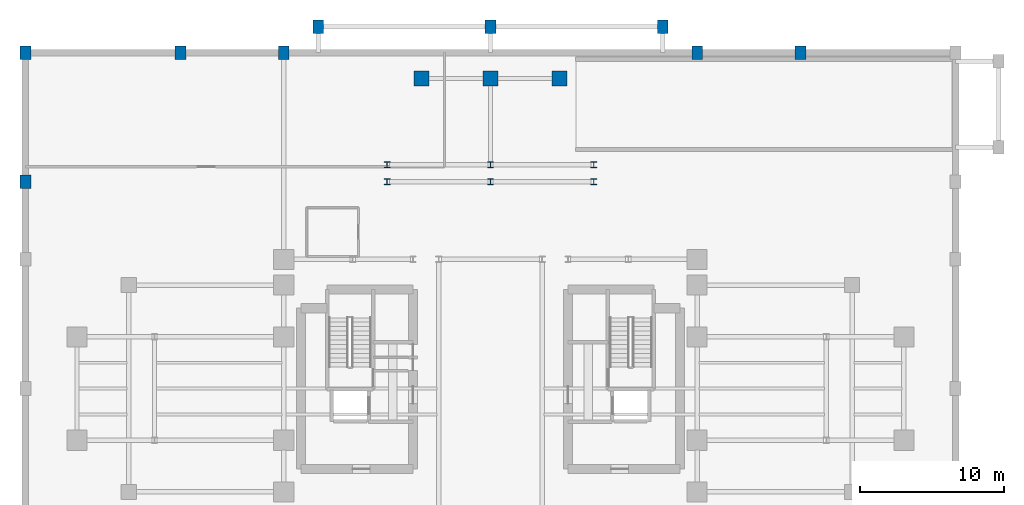
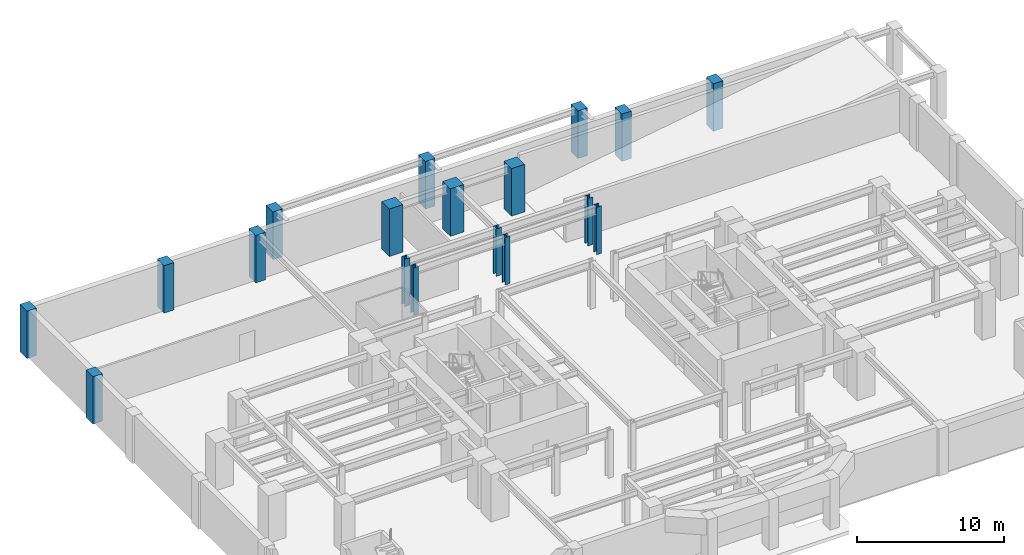
# One storey, part 2 of 9: 18 columns.
"""IFC4 building model written with IfcOpenShell, lengths in metres."""

from ifc_helpers import new_model, si_unit, direction, frame, origin, origin_2d, place, context, subcontext, project, spatial, rectangle, i_section, extrude, source, transform, mapped, material, material_profile, profile_set, type_object, element, save


model = new_model("IFC4")

# Units and contexts
model_context = context("Model", 3, precision=1e-05, world=origin(), true_north=direction((0.0, 1.0)))
body_context = subcontext(model_context, "Body", "Model", "MODEL_VIEW")
ifc_project = project(units=[si_unit("LENGTHUNIT", "METRE"), si_unit("AREAUNIT", "SQUARE_METRE"), si_unit("VOLUMEUNIT", "CUBIC_METRE"), si_unit("PLANEANGLEUNIT", "RADIAN"), si_unit("MASSUNIT", "GRAM", prefix="KILO")], contexts=[model_context])

# Site, building, storey
site_placement = place(None, origin())
site = spatial("IfcSite", under=ifc_project, at=site_placement, CompositionType="ELEMENT")
building_placement = place(site_placement, origin())
building = spatial("IfcBuilding", under=site, at=building_placement, Name="Keilestroom Media Tower", CompositionType="ELEMENT")
storey_placement = place(building_placement, frame((0.0, 0.0, -4.199951171875)))
storey = spatial("IfcBuildingStorey", under=building, at=storey_placement, Name="B1", CompositionType="ELEMENT", Elevation=-4.199951171875)

# Columns
ifc_material_1 = material(Name="Precast concrete C40/50", Category="concrete")
ifc_material_profile_1 = material_profile(ifc_material_1, rectangle(XDim=0.75, YDim=0.949951171875, at=origin_2d()), Name="PC 950x750")
ifc_profile_set_1 = profile_set([ifc_material_profile_1], Name="Precast concrete C40/50")
column_type_1 = type_object("IfcColumnType", Name="Structural-Column-PC-950x750", PredefinedType="COLUMN", material=ifc_profile_set_1)
shared_shape_1 = source(origin(), body_context, "Body", "SweptSolid", [
    extrude(rectangle(XDim=0.75, YDim=0.949951171875, at=origin_2d()), origin(), (0.0, 0.0, 1.0), 3.949951171875),
])
for number, where, z_axis, x_axis, name in (
    (1, (-32.39990234375, 14.39990234375, 0.0), (0.0, 0.0, 1.0), (1.0, 0.0, 0.0), "B1 Column PC-1 (-32.4,+14.4)"),
    (2, (-32.39990234375, 23.39990234375, 0.0), (0.0, 0.0, 1.0), (1.0, 0.0, 0.0), "B1 Column PC-1 (-32.4,+23.4)"),
    (3, (-21.60009765625, 23.39990234375, 0.0), (0.0, 0.0, 1.0), (1.0, 0.0, 0.0), "B1 Column PC-1 (-21.6,+23.4)"),
    (4, (-14.39990234375, 23.39990234375, 0.0), (0.0, 0.0, 1.0), (1.0, 0.0, 0.0), "B1 Column PC-1 (-14.4,+23.4)"),
    (5, (14.39990234375, 23.39990234375, 0.0), (0.0, 0.0, 1.0), (1.0, 0.0, 0.0), "B1 Column PC-1 (+14.4,+23.4)"),
    (6, (21.60009765625, 23.39990234375, 0.0), (0.0, 0.0, 1.0), (1.0, 0.0, 0.0), "B1 Column PC-1 (+21.6,+23.4)"),
):
    element("IfcColumn", number, at=place(storey_placement, frame(where, z_axis=z_axis, x_axis=x_axis)), inside=storey, type_object=column_type_1, Name=name, PredefinedType="COLUMN", context=body_context, shape_type="MappedRepresentation", body=[
        mapped(shared_shape_1, transform((0.0, 0.0, 0.0), x_axis=(1.0, 0.0, 0.0), y_axis=(0.0, 1.0, 0.0), z_axis=(0.0, 0.0, 1.0), scale=1.0)),
    ])
ifc_material_2 = material(Name="Concrete C55/67", Category="concrete")
ifc_material_profile_2 = material_profile(ifc_material_2, rectangle(XDim=1.050048828125, YDim=1.050048828125, at=origin_2d()), Name="RC 1050x1050")
ifc_profile_set_2 = profile_set([ifc_material_profile_2], Name="Concrete C55/67")
column_type_2 = type_object("IfcColumnType", Name="Structural-Column-RC-1050x1050", PredefinedType="COLUMN", material=ifc_profile_set_2)
shared_shape_2 = source(origin(), body_context, "Body", "SweptSolid", [
    extrude(rectangle(XDim=1.050048828125, YDim=1.050048828125, at=origin_2d()), origin(), (0.0, 0.0, 1.0), 3.949951171875),
])
for number, where, z_axis, x_axis, name in (
    (7, (-4.800048828125, 21.60009765625, 0.0), (0.0, 0.0, 1.0), (1.0, 0.0, 0.0), "B1 Column MC-3 (-4.8,+21.6)"),
    (8, (0.0, 21.60009765625, 0.0), (0.0, 0.0, 1.0), (1.0, 0.0, 0.0), "B1 Column MC-3 (+0.0,+21.6)"),
    (9, (4.800048828125, 21.60009765625, 0.0), (0.0, 0.0, 1.0), (1.0, 0.0, 0.0), "B1 Column MC-3 (+4.8,+21.6)"),
):
    element("IfcColumn", number, at=place(storey_placement, frame(where, z_axis=z_axis, x_axis=x_axis)), inside=storey, type_object=column_type_2, Name=name, PredefinedType="COLUMN", context=body_context, shape_type="MappedRepresentation", body=[
        mapped(shared_shape_2, transform((0.0, 0.0, 0.0), x_axis=(1.0, 0.0, 0.0), y_axis=(0.0, 1.0, 0.0), z_axis=(0.0, 0.0, 1.0), scale=1.0)),
    ])
ifc_material_3 = material(Name="Steel S460", Category="steel")
ifc_material_profile_3 = material_profile(ifc_material_3, i_section(OverallWidth=0.406005859375, OverallDepth=0.416015625, WebThickness=0.02392578125, FlangeThickness=0.0390625, at=origin_2d()), Name="HD 400x382")
ifc_profile_set_3 = profile_set([ifc_material_profile_3], Name="Steel S460")
column_type_3 = type_object("IfcColumnType", Name="Structural-Column-HD-400x382", PredefinedType="COLUMN", material=ifc_profile_set_3)
shared_shape_3 = source(origin(), body_context, "Body", "SweptSolid", [
    extrude(i_section(OverallWidth=0.406005859375, OverallDepth=0.416015625, WebThickness=0.02392578125, FlangeThickness=0.0390625, at=origin_2d()), origin(), (0.0, 0.0, 1.0), 3.949951171875),
])
for number, where, z_axis, x_axis, name in (
    (10, (-7.199951171875, 14.39990234375, 0.0), (0.0, 0.0, 1.0), (1.0, 0.0, 0.0), "B1 Column SC-1 (-7.2,+14.4)"),
    (11, (-7.199951171875, 15.60009765625, 0.0), (0.0, 0.0, 1.0), (1.0, 0.0, 0.0), "B1 Column SC-1 (-7.2,+15.6)"),
    (12, (0.0, 14.39990234375, 0.0), (0.0, 0.0, 1.0), (1.0, 0.0, 0.0), "B1 Column SC-1 (+0.0,+14.4)"),
    (13, (0.0, 15.60009765625, 0.0), (0.0, 0.0, 1.0), (1.0, 0.0, 0.0), "B1 Column SC-1 (+0.0,+15.6)"),
    (14, (7.199951171875, 14.39990234375, 0.0), (0.0, 0.0, 1.0), (1.0, 0.0, 0.0), "B1 Column SC-1 (+7.2,+14.4)"),
    (15, (7.199951171875, 15.60009765625, 0.0), (0.0, 0.0, 1.0), (1.0, 0.0, 0.0), "B1 Column SC-1 (+7.2,+15.6)"),
):
    element("IfcColumn", number, at=place(storey_placement, frame(where, z_axis=z_axis, x_axis=x_axis)), inside=storey, type_object=column_type_3, Name=name, PredefinedType="COLUMN", context=body_context, shape_type="MappedRepresentation", body=[
        mapped(shared_shape_3, transform((0.0, 0.0, 0.0), x_axis=(1.0, 0.0, 0.0), y_axis=(0.0, 1.0, 0.0), z_axis=(0.0, 0.0, 1.0), scale=1.0)),
    ])
shared_shape_4 = source(origin(), body_context, "Body", "SweptSolid", [
    extrude(rectangle(XDim=0.75, YDim=0.949951171875, at=origin_2d()), origin(), (0.0, 0.0, 1.0), 3.9599609375),
])
for number, where, z_axis, x_axis, name in (
    (16, (-12.0, 25.199951171875, 0.0), (0.0, 0.0, 1.0), (1.0, 0.0, 0.0), "B1 Column PC-1 (-12.0,+25.2)"),
    (17, (0.0, 25.199951171875, 0.0), (0.0, 0.0, 1.0), (1.0, 0.0, 0.0), "B1 Column PC-1 (+0.0,+25.2)"),
    (18, (12.0, 25.199951171875, 0.0), (0.0, 0.0, 1.0), (1.0, 0.0, 0.0), "B1 Column PC-1 (+12.0,+25.2)"),
):
    element("IfcColumn", number, at=place(storey_placement, frame(where, z_axis=z_axis, x_axis=x_axis)), inside=storey, type_object=column_type_1, Name=name, PredefinedType="COLUMN", context=body_context, shape_type="MappedRepresentation", body=[
        mapped(shared_shape_4, transform((0.0, 0.0, 0.0), x_axis=(1.0, 0.0, 0.0), y_axis=(0.0, 1.0, 0.0), z_axis=(0.0, 0.0, 1.0), scale=1.0)),
    ])

save(model, "model.ifc")
